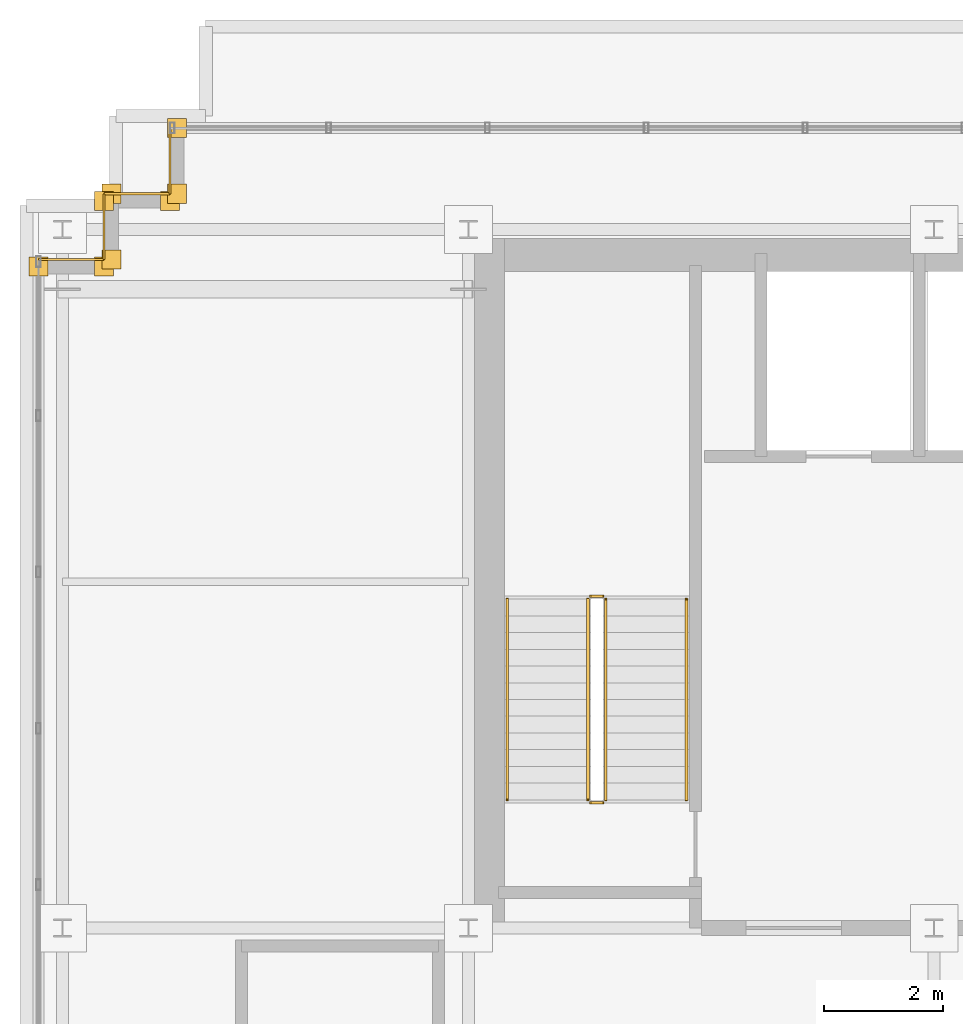
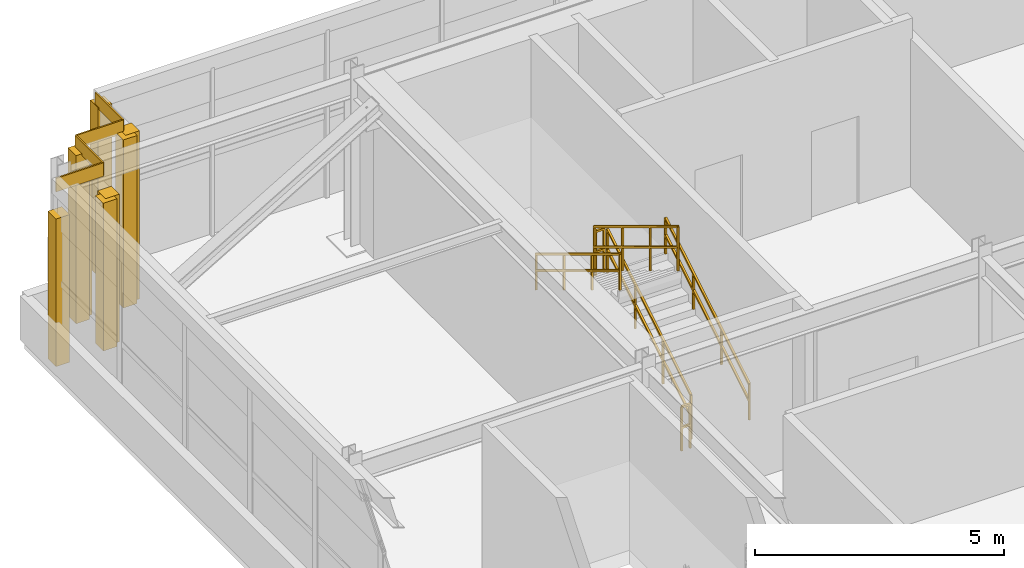
# One storey, part 36 of 38: 12 coverings, 6 railings.
"""IFC4 building model written with IfcOpenShell, lengths in metres."""

from ifc_helpers import new_model, si_unit, direction, frame, origin, origin_2d, place, context, subcontext, project, spatial, rectangle, extrude, source, transform, mapped, material, layer, layer_set, type_object, element, save


model = new_model("IFC4")

# Units and contexts
model_context = context("Model", 3, precision=1e-05, world=origin(), true_north=direction((0.0, 1.0)))
body_context = subcontext(model_context, "Body", "Model", "MODEL_VIEW")
ifc_project = project(units=[si_unit("LENGTHUNIT", "METRE"), si_unit("AREAUNIT", "SQUARE_METRE"), si_unit("VOLUMEUNIT", "CUBIC_METRE"), si_unit("PLANEANGLEUNIT", "RADIAN"), si_unit("MASSUNIT", "GRAM", prefix="KILO")], contexts=[model_context])

# Site, building, storey
site_placement = place(None, origin())
site = spatial("IfcSite", under=ifc_project, at=site_placement, CompositionType="ELEMENT")
building_placement = place(site_placement, origin())
building = spatial("IfcBuilding", under=site, at=building_placement, Name="Trelvane Seafront Commons", CompositionType="ELEMENT")
storey_placement = place(building_placement, frame((0.0, 0.0, 299.10009765625)))
storey = spatial("IfcBuildingStorey", under=building, at=storey_placement, Name="L78", CompositionType="ELEMENT", Elevation=299.10009765625)

# Railings
ifc_material_1 = material(Name="Stainless steel balustrade", Category="steel")
railing_type_1 = type_object("IfcRailingType", Name="ARCH-SRL-GUARD", PredefinedType="GUARDRAIL", material=ifc_material_1)
railing_1_placement = place(storey_placement, frame((17.89990234375, 35.550048828125, 0.169189453125)))
element("IfcRailing", 1, at=railing_1_placement, inside=storey, type_object=railing_type_1, Name="L78 ST-1 stair guard 1", PredefinedType="GUARDRAIL", context=body_context, shape_type="SweptSolid", body=[
    extrude(rectangle(XDim=0.048095703125, YDim=0.048095703125, at=origin_2d()), frame((0.0, 0.0, 1.076171875), z_axis=(0.0, 0.855820338506, 0.51727318527), x_axis=(-1.0, 0.0, 0.0)), (0.0, 0.0, 1.0), 3.92578125),
    extrude(rectangle(XDim=0.048095703125, YDim=0.048095703125, at=origin_2d()), frame((0.0, 0.0, 0.572021484375), z_axis=(0.0, 0.855820338506, 0.51727318527), x_axis=(-1.0, 0.0, 0.0)), (0.0, 0.0, 1.0), 3.92578125),
    extrude(rectangle(XDim=0.0419921875, YDim=0.0419921875, at=origin_2d()), origin(), (0.0, 0.0, 1.0), 1.076171875),
    extrude(rectangle(XDim=0.0419921875, YDim=0.0419921875, at=origin_2d()), frame((0.0, 1.119873046875, 0.677001953125)), (0.0, 0.0, 1.0), 1.076171875),
    extrude(rectangle(XDim=0.0419921875, YDim=0.0419921875, at=origin_2d()), frame((0.0, 2.239990234375, 1.353759765625)), (0.0, 0.0, 1.0), 1.076171875),
    extrude(rectangle(XDim=0.0419921875, YDim=0.0419921875, at=origin_2d()), frame((0.0, 3.35986328125, 2.03076171875)), (0.0, 0.0, 1.0), 1.076171875),
])
railing_2_placement = place(storey_placement, frame((17.85009765625, 38.9599609375, 2.199951171875)))
element("IfcRailing", 2, at=railing_2_placement, inside=storey, type_object=railing_type_1, Name="L78 ST-1 stair guard 2", PredefinedType="GUARDRAIL", context=body_context, shape_type="SweptSolid", body=[
    extrude(rectangle(XDim=0.048095703125, YDim=0.048095703125, at=origin_2d()), frame((0.0, 0.0, 1.076171875), z_axis=(-1.0, 0.0, 0.0), x_axis=(0.0, -1.0, 0.0)), (0.0, 0.0, 1.0), 0.2001953125),
    extrude(rectangle(XDim=0.048095703125, YDim=0.048095703125, at=origin_2d()), frame((0.0, 0.0, 0.572021484375), z_axis=(-1.0, 0.0, 0.0), x_axis=(0.0, -1.0, 0.0)), (0.0, 0.0, 1.0), 0.2001953125),
    extrude(rectangle(XDim=0.0419921875, YDim=0.0419921875, at=origin_2d()), origin(), (0.0, 0.0, 1.0), 1.076171875),
    extrude(rectangle(XDim=0.0419921875, YDim=0.0419921875, at=origin_2d()), frame((-0.2001953125, 0.0, 0.0)), (0.0, 0.0, 1.0), 1.076171875),
])
railing_3_placement = place(storey_placement, frame((17.60009765625, 38.909912109375, 2.369140625)))
element("IfcRailing", 3, at=railing_3_placement, inside=storey, type_object=railing_type_1, Name="L78 ST-1 stair guard 3", PredefinedType="GUARDRAIL", context=body_context, shape_type="SweptSolid", body=[
    extrude(rectangle(XDim=0.048095703125, YDim=0.048095703125, at=origin_2d()), frame((0.0, 0.0, 1.076171875), z_axis=(0.0, -0.855820338506, 0.51727318527), x_axis=(1.0, 0.0, 0.0)), (0.0, 0.0, 1.0), 3.92578125),
    extrude(rectangle(XDim=0.048095703125, YDim=0.048095703125, at=origin_2d()), frame((0.0, 0.0, 0.572021484375), z_axis=(0.0, -0.855820338506, 0.51727318527), x_axis=(1.0, 0.0, 0.0)), (0.0, 0.0, 1.0), 3.92578125),
    extrude(rectangle(XDim=0.0419921875, YDim=0.0419921875, at=origin_2d()), origin(), (0.0, 0.0, 1.0), 1.076171875),
    extrude(rectangle(XDim=0.0419921875, YDim=0.0419921875, at=origin_2d()), frame((0.0, -1.119873046875, 0.677001953125)), (0.0, 0.0, 1.0), 1.076171875),
    extrude(rectangle(XDim=0.0419921875, YDim=0.0419921875, at=origin_2d()), frame((0.0, -2.239990234375, 1.353759765625)), (0.0, 0.0, 1.0), 1.076171875),
    extrude(rectangle(XDim=0.0419921875, YDim=0.0419921875, at=origin_2d()), frame((0.0, -3.35986328125, 2.03076171875)), (0.0, 0.0, 1.0), 1.076171875),
])
railing_4_placement = place(storey_placement, frame((17.85009765625, 35.5, 0.0)))
element("IfcRailing", 4, at=railing_4_placement, inside=storey, type_object=railing_type_1, Name="L78 ST-1 stair guard 4", PredefinedType="GUARDRAIL", context=body_context, shape_type="SweptSolid", body=[
    extrude(rectangle(XDim=0.048095703125, YDim=0.048095703125, at=origin_2d()), frame((0.0, 0.0, 1.076171875), z_axis=(-1.0, 0.0, 0.0), x_axis=(0.0, -1.0, 0.0)), (0.0, 0.0, 1.0), 0.2001953125),
    extrude(rectangle(XDim=0.048095703125, YDim=0.048095703125, at=origin_2d()), frame((0.0, 0.0, 0.572021484375), z_axis=(-1.0, 0.0, 0.0), x_axis=(0.0, -1.0, 0.0)), (0.0, 0.0, 1.0), 0.2001953125),
    extrude(rectangle(XDim=0.0419921875, YDim=0.0419921875, at=origin_2d()), origin(), (0.0, 0.0, 1.0), 1.076171875),
    extrude(rectangle(XDim=0.0419921875, YDim=0.0419921875, at=origin_2d()), frame((-0.2001953125, 0.0, 0.0)), (0.0, 0.0, 1.0), 1.076171875),
])
railing_type_2 = type_object("IfcRailingType", Name="ARCH-SRL-HAND", PredefinedType="HANDRAIL", material=ifc_material_1)
railing_5_placement = place(storey_placement, frame((19.25, 35.550048828125, 0.169189453125)))
element("IfcRailing", 5, at=railing_5_placement, inside=storey, type_object=railing_type_2, Name="L78 ST-1 stair handrail 1", PredefinedType="HANDRAIL", context=body_context, shape_type="SweptSolid", body=[
    extrude(rectangle(XDim=0.048095703125, YDim=0.048095703125, at=origin_2d()), frame((0.0, 0.0, 0.8759765625), z_axis=(0.0, 0.855820338506, 0.51727318527), x_axis=(-1.0, 0.0, 0.0)), (0.0, 0.0, 1.0), 3.92578125),
    extrude(rectangle(XDim=0.048095703125, YDim=0.048095703125, at=origin_2d()), frame((0.0, 0.0, 0.468017578125), z_axis=(0.0, 0.855820338506, 0.51727318527), x_axis=(-1.0, 0.0, 0.0)), (0.0, 0.0, 1.0), 3.92578125),
    extrude(rectangle(XDim=0.0419921875, YDim=0.0419921875, at=origin_2d()), origin(), (0.0, 0.0, 1.0), 0.8759765625),
    extrude(rectangle(XDim=0.0419921875, YDim=0.0419921875, at=origin_2d()), frame((0.0, 1.119873046875, 0.677001953125)), (0.0, 0.0, 1.0), 0.8759765625),
    extrude(rectangle(XDim=0.0419921875, YDim=0.0419921875, at=origin_2d()), frame((0.0, 2.239990234375, 1.353759765625)), (0.0, 0.0, 1.0), 0.8759765625),
    extrude(rectangle(XDim=0.0419921875, YDim=0.0419921875, at=origin_2d()), frame((0.0, 3.35986328125, 2.03076171875)), (0.0, 0.0, 1.0), 0.8759765625),
])
railing_6_placement = place(storey_placement, frame((16.25, 38.909912109375, 2.369140625)))
element("IfcRailing", 6, at=railing_6_placement, inside=storey, type_object=railing_type_2, Name="L78 ST-1 stair handrail 2", PredefinedType="HANDRAIL", context=body_context, shape_type="SweptSolid", body=[
    extrude(rectangle(XDim=0.048095703125, YDim=0.048095703125, at=origin_2d()), frame((0.0, 0.0, 0.8759765625), z_axis=(0.0, -0.855820338506, 0.51727318527), x_axis=(1.0, 0.0, 0.0)), (0.0, 0.0, 1.0), 3.92578125),
    extrude(rectangle(XDim=0.048095703125, YDim=0.048095703125, at=origin_2d()), frame((0.0, 0.0, 0.468017578125), z_axis=(0.0, -0.855820338506, 0.51727318527), x_axis=(1.0, 0.0, 0.0)), (0.0, 0.0, 1.0), 3.92578125),
    extrude(rectangle(XDim=0.0419921875, YDim=0.0419921875, at=origin_2d()), origin(), (0.0, 0.0, 1.0), 0.8759765625),
    extrude(rectangle(XDim=0.0419921875, YDim=0.0419921875, at=origin_2d()), frame((0.0, -1.119873046875, 0.677001953125)), (0.0, 0.0, 1.0), 0.8759765625),
    extrude(rectangle(XDim=0.0419921875, YDim=0.0419921875, at=origin_2d()), frame((0.0, -2.239990234375, 1.353759765625)), (0.0, 0.0, 1.0), 0.8759765625),
    extrude(rectangle(XDim=0.0419921875, YDim=0.0419921875, at=origin_2d()), frame((0.0, -3.35986328125, 2.03076171875)), (0.0, 0.0, 1.0), 0.8759765625),
])

# Coverings
ifc_material_2 = material(Name="Anodised pale-silver aluminium", Category="aluminium")
ifc_layer = layer(ifc_material_2, 0.034912109375, Name="ARCH-COV-CLAD35")
ifc_layer_set = layer_set([ifc_layer], Name="Anodised pale-silver aluminium")
covering_type = type_object("IfcCoveringType", Name="ARCH-COV-CLAD35", PredefinedType="CLADDING", material=ifc_layer_set)
shared_shape_1 = source(origin(), body_context, "Body", "SweptSolid", [
    extrude(rectangle(XDim=0.320068359375, YDim=0.320068359375, at=origin_2d()), origin(), (0.0, 0.0, 1.0), 4.1201171875),
])
for number, where, z_axis, x_axis, name in (
    (7, (9.5, 45.580078125, -0.000244140625), (0.0, 0.0, 1.0), (1.0, 0.0, 0.0), "CLD-CP-L78-00331"),
    (8, (10.60009765625, 45.580078125, -0.000244140625), (0.0, 0.0, 1.0), (1.0, 0.0, 0.0), "CLD-CP-L78-00332"),
    (9, (10.719970703125, 45.699951171875, -0.000244140625), (0.0, 0.0, 1.0), (1.0, 0.0, 0.0), "CLD-CP-L78-00334"),
    (10, (10.719970703125, 46.800048828125, -0.000244140625), (0.0, 0.0, 1.0), (1.0, 0.0, 0.0), "CLD-CP-L78-00335"),
):
    element("IfcCovering", number, at=place(storey_placement, frame(where, z_axis=z_axis, x_axis=x_axis)), inside=storey, type_object=covering_type, Name=name, PredefinedType="CLADDING", context=body_context, shape_type="MappedRepresentation", body=[
        mapped(shared_shape_1, transform((0.0, 0.0, 0.0), x_axis=(1.0, 0.0, 0.0), y_axis=(0.0, 1.0, 0.0), z_axis=(0.0, 0.0, 1.0), scale=1.0)),
    ])
shared_shape_2 = source(origin(), body_context, "Body", "SweptSolid", [
    extrude(rectangle(XDim=1.10009765625, YDim=0.034912109375, at=origin_2d()), origin(), (0.0, 0.0, 1.0), 0.330078125),
])
for number, where, z_axis, x_axis, name in (
    (11, (8.949951171875, 44.60009765625, 4.06982421875), (0.0, 0.0, 1.0), (1.0, 0.0, 0.0), "CLD-L78-0327"),
    (12, (9.5, 45.14990234375, 4.06982421875), (0.0, 0.0, 1.0), (0.0, 1.0, 0.0), "CLD-L78-0330"),
    (13, (10.050048828125, 45.699951171875, 4.06982421875), (0.0, 0.0, 1.0), (1.0, 0.0, 0.0), "CLD-L78-0333"),
    (14, (10.60009765625, 46.25, 4.06982421875), (0.0, 0.0, 1.0), (0.0, 1.0, 0.0), "CLD-L78-0336"),
):
    element("IfcCovering", number, at=place(storey_placement, frame(where, z_axis=z_axis, x_axis=x_axis)), inside=storey, type_object=covering_type, Name=name, PredefinedType="CLADDING", context=body_context, shape_type="MappedRepresentation", body=[
        mapped(shared_shape_2, transform((0.0, 0.0, 0.0), x_axis=(1.0, 0.0, 0.0), y_axis=(0.0, 1.0, 0.0), z_axis=(0.0, 0.0, 1.0), scale=1.0)),
    ])
shared_shape_3 = source(origin(), body_context, "Body", "SweptSolid", [
    extrude(rectangle(XDim=0.320068359375, YDim=0.320068359375, at=origin_2d()), origin(), (0.0, 0.0, 1.0), 3.6201171875),
])
for number, where, z_axis, x_axis, name in (
    (15, (8.39990234375, 44.47998046875, -0.000244140625), (0.0, 0.0, 1.0), (1.0, 0.0, 0.0), "CLD-CP-L78-00325"),
    (16, (9.5, 44.47998046875, -0.000244140625), (0.0, 0.0, 1.0), (1.0, 0.0, 0.0), "CLD-CP-L78-00326"),
    (17, (9.6201171875, 44.60009765625, -0.000244140625), (0.0, 0.0, 1.0), (1.0, 0.0, 0.0), "CLD-CP-L78-00328"),
    (18, (9.6201171875, 45.699951171875, -0.000244140625), (0.0, 0.0, 1.0), (1.0, 0.0, 0.0), "CLD-CP-L78-00329"),
):
    element("IfcCovering", number, at=place(storey_placement, frame(where, z_axis=z_axis, x_axis=x_axis)), inside=storey, type_object=covering_type, Name=name, PredefinedType="CLADDING", context=body_context, shape_type="MappedRepresentation", body=[
        mapped(shared_shape_3, transform((0.0, 0.0, 0.0), x_axis=(1.0, 0.0, 0.0), y_axis=(0.0, 1.0, 0.0), z_axis=(0.0, 0.0, 1.0), scale=1.0)),
    ])

save(model, "model.ifc")
